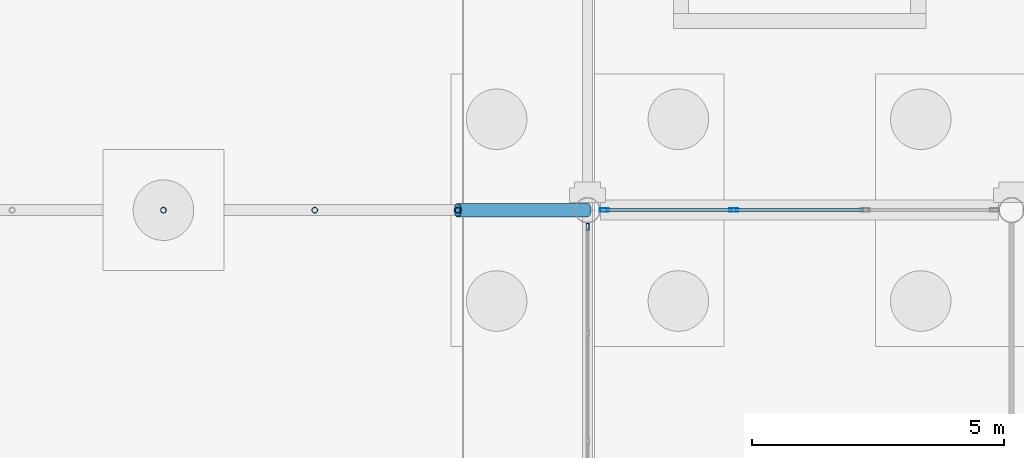
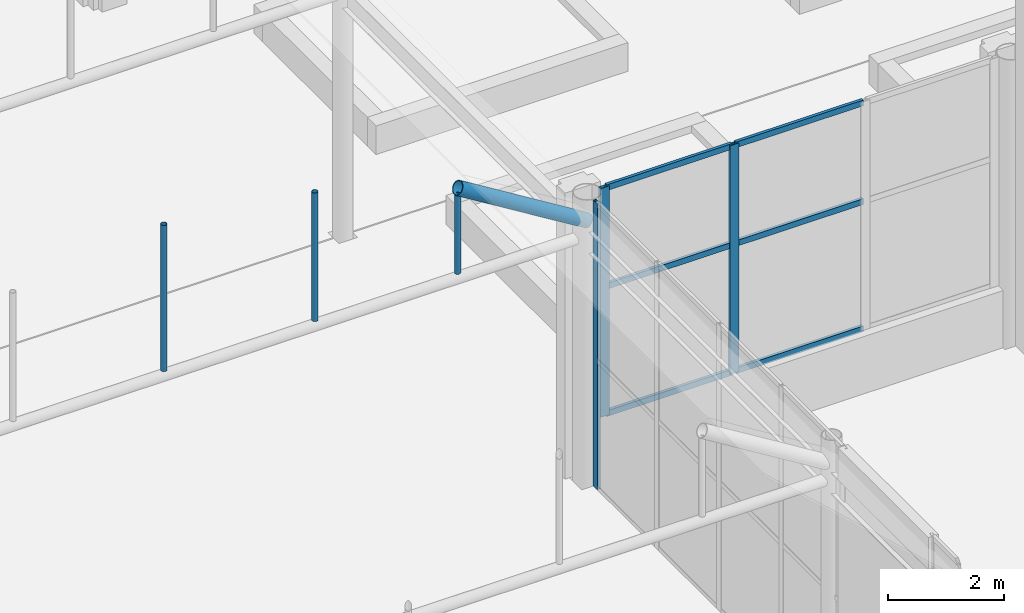
# One storey, part 136 of 212: 13 members, 2 elements without a shape of their own.
"""IFC4 building model written with IfcOpenShell, lengths in metres."""

from ifc_helpers import new_model, si_unit, direction, frame, origin, origin_2d, place, context, subcontext, project, spatial, hollow_rectangle, hollow_circle, extrude, material, material_profile, profile_set, type_object, element, aggregate, save


model = new_model("IFC4")

# Units and contexts
model_context = context("Model", 3, precision=1e-05, world=origin(), true_north=direction((0.0, 1.0)))
body_context = subcontext(model_context, "Body", "Model", "MODEL_VIEW")
ifc_project = project(units=[si_unit("LENGTHUNIT", "METRE"), si_unit("AREAUNIT", "SQUARE_METRE"), si_unit("VOLUMEUNIT", "CUBIC_METRE"), si_unit("PLANEANGLEUNIT", "RADIAN"), si_unit("MASSUNIT", "GRAM", prefix="KILO")], contexts=[model_context])

# Site, building, storey
site_placement = place(None, origin())
site = spatial("IfcSite", under=ifc_project, at=site_placement, CompositionType="ELEMENT")
building_placement = place(site_placement, origin())
building = spatial("IfcBuilding", under=site, at=building_placement, Name="Catenary Quay Ferry Terminal", CompositionType="ELEMENT")
storey_placement = place(building_placement, origin())
storey = spatial("IfcBuildingStorey", under=building, at=storey_placement, Name="L00", CompositionType="ELEMENT", Elevation=0.0)

# Members
ifc_material_1 = material(Name="Steel S355", Category="steel")
ifc_material_profile_1 = material_profile(ifc_material_1, hollow_circle(Radius=0.05712890625, WallThickness=0.00634765625, at=origin_2d()), Name="CHS 114.3x6.3")
ifc_profile_set_1 = profile_set([ifc_material_profile_1], Name="Steel S355")
member_type_1 = type_object("IfcMemberType", Name="HG1 CHS 114.3x6.3", PredefinedType="POST", material=ifc_profile_set_1)
member_1_placement = place(storey_placement, frame((16.800048828125, 142.800048828125, 5.205078125), z_axis=(0.0, 0.0, 1.0), x_axis=(1.0, 0.0, 0.0)))
element("IfcMember", 1, at=member_1_placement, inside=storey, type_object=member_type_1, Name="Hanger FC-10-03", PredefinedType="POST", context=body_context, shape_type="SweptSolid", body=[
    extrude(hollow_circle(Radius=0.05712890625, WallThickness=0.00634765625, at=origin_2d()), origin(), (0.0, 0.0, 1.0), 3.06494140625),
])
member_2_placement = place(storey_placement, frame((19.797119140625, 142.800048828125, 5.205078125), z_axis=(0.0, 0.0, 1.0), x_axis=(1.0, 0.0, 0.0)))
element("IfcMember", 2, at=member_2_placement, inside=storey, type_object=member_type_1, Name="Hanger FC-10-04", PredefinedType="POST", context=body_context, shape_type="SweptSolid", body=[
    extrude(hollow_circle(Radius=0.05712890625, WallThickness=0.00634765625, at=origin_2d()), origin(), (0.0, 0.0, 1.0), 2.69580078125),
])
member_3_placement = place(storey_placement, frame((22.62890625, 142.800048828125, 5.205078125), z_axis=(0.0, 0.0, 1.0), x_axis=(1.0, 0.0, 0.0)))
element("IfcMember", 3, at=member_3_placement, inside=storey, type_object=member_type_1, Name="Hanger FC-10-05", PredefinedType="POST", context=body_context, shape_type="SweptSolid", body=[
    extrude(hollow_circle(Radius=0.05712890625, WallThickness=0.00634765625, at=origin_2d()), origin(), (0.0, 0.0, 1.0), 1.64892578125),
])

# Curtain wall, member
ifc_material_2 = material(Name="Aluminium and glass", Category="aluminium")
curtain_wall_type_1 = type_object("IfcCurtainWallType", Name="CWG", PredefinedType="NOTDEFINED", material=ifc_material_2)
curtain_wall_1_placement = place(storey_placement, origin())
curtain_wall_1 = element("IfcCurtainWall", 4, at=curtain_wall_1_placement, inside=storey, type_object=curtain_wall_type_1, Name="Gable departure hall curtain wall CW15", PredefinedType="NOTDEFINED")
ifc_material_3 = material(Name="Aluminium", Category="aluminium")
ifc_material_profile_2 = material_profile(ifc_material_3, hollow_rectangle(XDim=0.06005859375, YDim=0.139892578125, WallThickness=0.006103515625, at=origin_2d()), Name="MU2")
ifc_profile_set_2 = profile_set([ifc_material_profile_2], Name="Aluminium")
member_type_2 = type_object("IfcMemberType", Name="MU2", PredefinedType="MULLION", material=ifc_profile_set_2)
member_4_placement = place(storey_placement, frame((25.199951171875, 142.469970703125, 0.0), z_axis=(0.0, 0.0, 1.0), x_axis=(-1.0, 0.0, 0.0)))
member_4 = element("IfcMember", 5, at=member_4_placement, type_object=member_type_2, Name="CW15 mullion 5", PredefinedType="MULLION", context=body_context, shape_type="SweptSolid", body=[
    extrude(hollow_rectangle(XDim=0.06005859375, YDim=0.139892578125, WallThickness=0.006103515625, at=origin_2d()), origin(), (0.0, 0.0, 1.0), 6.0),
])
aggregate(curtain_wall_1, [member_4])

# Curtain wall, members
ifc_material_4 = material(Name="Aluminium and glass", Category="aluminium")
curtain_wall_type_2 = type_object("IfcCurtainWallType", Name="CWH", PredefinedType="NOTDEFINED", material=ifc_material_4)
curtain_wall_2_placement = place(storey_placement, origin())
curtain_wall_2 = element("IfcCurtainWall", 6, at=curtain_wall_2_placement, inside=storey, type_object=curtain_wall_type_2, Name="Hall curtain wall CW40", PredefinedType="NOTDEFINED")
ifc_material_5 = material(Name="Aluminium", Category="aluminium")
ifc_material_profile_3 = material_profile(ifc_material_5, hollow_rectangle(XDim=0.070068359375, YDim=0.179931640625, WallThickness=0.006103515625, at=origin_2d()), Name="MU3")
ifc_profile_set_3 = profile_set([ifc_material_profile_3], Name="Aluminium")
member_type_3 = type_object("IfcMemberType", Name="MU3", PredefinedType="MULLION", material=ifc_profile_set_3)
member_5_placement = place(storey_placement, frame((25.534912109375, 142.800048828125, 1.199951171875), z_axis=(0.0, 0.0, 1.0), x_axis=(0.0, 1.0, 0.0)))
member_5 = element("IfcMember", 7, at=member_5_placement, type_object=member_type_3, Name="CW40 mullion 1", PredefinedType="MULLION", context=body_context, shape_type="SweptSolid", body=[
    extrude(hollow_rectangle(XDim=0.070068359375, YDim=0.179931640625, WallThickness=0.006103515625, at=origin_2d()), origin(), (0.0, 0.0, 1.0), 4.800048828125),
])
member_6_placement = place(storey_placement, frame((28.10009765625, 142.800048828125, 1.199951171875), z_axis=(0.0, 0.0, 1.0), x_axis=(0.0, 1.0, 0.0)))
member_6 = element("IfcMember", 8, at=member_6_placement, type_object=member_type_3, Name="CW40 mullion 2", PredefinedType="MULLION", context=body_context, shape_type="SweptSolid", body=[
    extrude(hollow_rectangle(XDim=0.070068359375, YDim=0.179931640625, WallThickness=0.006103515625, at=origin_2d()), origin(), (0.0, 0.0, 1.0), 4.800048828125),
])
ifc_material_6 = material(Name="Aluminium", Category="aluminium")
ifc_material_profile_4 = material_profile(ifc_material_6, hollow_rectangle(XDim=0.06005859375, YDim=0.1201171875, WallThickness=0.0048828125, at=origin_2d()), Name="TR3")
ifc_profile_set_4 = profile_set([ifc_material_profile_4], Name="Aluminium")
member_type_4 = type_object("IfcMemberType", Name="TR3", PredefinedType="USERDEFINED", material=ifc_profile_set_4)
member_7_placement = place(storey_placement, frame((25.570068359375, 142.800048828125, 1.22998046875), z_axis=(1.0, 0.0, 0.0), x_axis=(0.0, 1.0, 0.0)))
member_7 = element("IfcMember", 9, at=member_7_placement, type_object=member_type_4, Name="CW40 transom 1.1", ObjectType="TRANSOM", PredefinedType="USERDEFINED", context=body_context, shape_type="SweptSolid", body=[
    extrude(hollow_rectangle(XDim=0.06005859375, YDim=0.1201171875, WallThickness=0.0048828125, at=origin_2d()), origin(), (0.0, 0.0, 1.0), 2.494873046875),
])
member_8_placement = place(storey_placement, frame((25.570068359375, 142.800048828125, 3.89990234375), z_axis=(1.0, 0.0, 0.0), x_axis=(0.0, 1.0, 0.0)))
member_8 = element("IfcMember", 10, at=member_8_placement, type_object=member_type_4, Name="CW40 transom 1.2", ObjectType="TRANSOM", PredefinedType="USERDEFINED", context=body_context, shape_type="SweptSolid", body=[
    extrude(hollow_rectangle(XDim=0.06005859375, YDim=0.1201171875, WallThickness=0.0048828125, at=origin_2d()), origin(), (0.0, 0.0, 1.0), 2.494873046875),
])
member_9_placement = place(storey_placement, frame((25.570068359375, 142.800048828125, 5.969970703125), z_axis=(1.0, 0.0, 0.0), x_axis=(0.0, 1.0, 0.0)))
member_9 = element("IfcMember", 11, at=member_9_placement, type_object=member_type_4, Name="CW40 transom 1.3", ObjectType="TRANSOM", PredefinedType="USERDEFINED", context=body_context, shape_type="SweptSolid", body=[
    extrude(hollow_rectangle(XDim=0.06005859375, YDim=0.1201171875, WallThickness=0.0048828125, at=origin_2d()), origin(), (0.0, 0.0, 1.0), 2.494873046875),
])
member_10_placement = place(storey_placement, frame((28.135009765625, 142.800048828125, 1.22998046875), z_axis=(1.0, 0.0, 0.0), x_axis=(0.0, 1.0, 0.0)))
member_10 = element("IfcMember", 12, at=member_10_placement, type_object=member_type_4, Name="CW40 transom 2.1", ObjectType="TRANSOM", PredefinedType="USERDEFINED", context=body_context, shape_type="SweptSolid", body=[
    extrude(hollow_rectangle(XDim=0.06005859375, YDim=0.1201171875, WallThickness=0.0048828125, at=origin_2d()), origin(), (0.0, 0.0, 1.0), 2.530029296875),
])
member_11_placement = place(storey_placement, frame((28.135009765625, 142.800048828125, 3.89990234375), z_axis=(1.0, 0.0, 0.0), x_axis=(0.0, 1.0, 0.0)))
member_11 = element("IfcMember", 13, at=member_11_placement, type_object=member_type_4, Name="CW40 transom 2.2", ObjectType="TRANSOM", PredefinedType="USERDEFINED", context=body_context, shape_type="SweptSolid", body=[
    extrude(hollow_rectangle(XDim=0.06005859375, YDim=0.1201171875, WallThickness=0.0048828125, at=origin_2d()), origin(), (0.0, 0.0, 1.0), 2.530029296875),
])
member_12_placement = place(storey_placement, frame((28.135009765625, 142.800048828125, 5.969970703125), z_axis=(1.0, 0.0, 0.0), x_axis=(0.0, 1.0, 0.0)))
member_12 = element("IfcMember", 14, at=member_12_placement, type_object=member_type_4, Name="CW40 transom 2.3", ObjectType="TRANSOM", PredefinedType="USERDEFINED", context=body_context, shape_type="SweptSolid", body=[
    extrude(hollow_rectangle(XDim=0.06005859375, YDim=0.1201171875, WallThickness=0.0048828125, at=origin_2d()), origin(), (0.0, 0.0, 1.0), 2.530029296875),
])
aggregate(curtain_wall_2, [member_5, member_6, member_7, member_8, member_9, member_10, member_11, member_12])

# Member
ifc_material_7 = material(Name="Steel S355", Category="steel")
ifc_material_profile_5 = material_profile(ifc_material_7, hollow_circle(Radius=0.136474609375, WallThickness=0.012451171875, at=origin_2d()), Name="CHS 273x12.5")
ifc_profile_set_5 = profile_set([ifc_material_profile_5], Name="Steel S355")
member_type_5 = type_object("IfcMemberType", Name="VR2 CHS 273x12.5", PredefinedType="RAFTER", material=ifc_profile_set_5)
member_13_placement = place(storey_placement, frame((22.62890625, 142.800048828125, 6.98388671875), z_axis=(0.851391726314, 0.0, -0.524530388408), x_axis=(0.0, 1.0, 0.0)))
element("IfcMember", 15, at=member_13_placement, inside=storey, type_object=member_type_5, Name="rib FC-10-06", PredefinedType="RAFTER", context=body_context, shape_type="SweptSolid", body=[
    extrude(hollow_circle(Radius=0.136474609375, WallThickness=0.012451171875, at=origin_2d()), origin(), (0.0, 0.0, 1.0), 3.019775390625),
])

save(model, "model.ifc")
